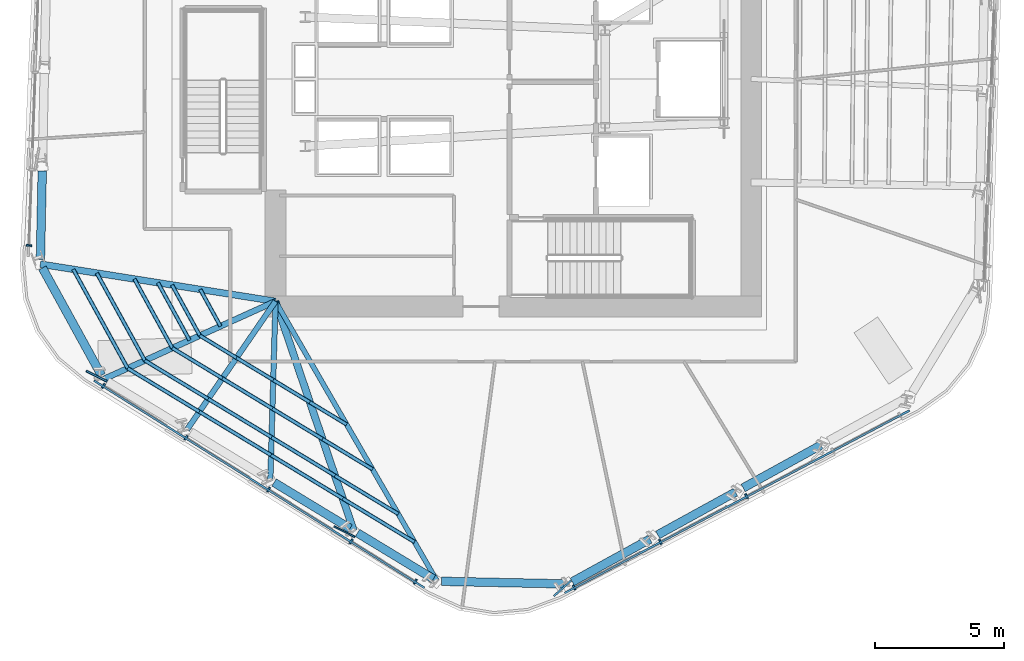
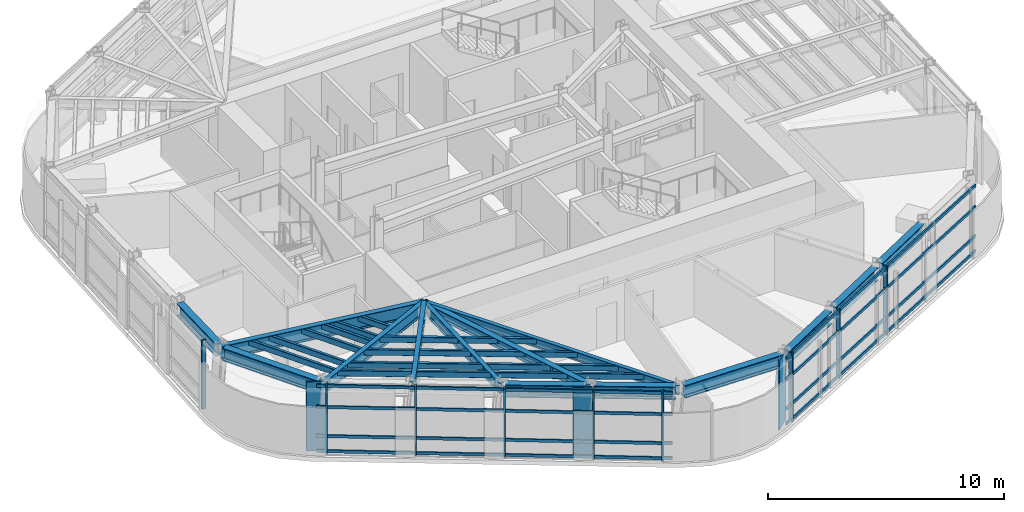
# One storey, part 2 of 14: 42 members, 14 beams, 3 elements without a shape of their own.
"""IFC4 building model written with IfcOpenShell, lengths in metres."""

import ifcopenshell
import ifcopenshell.guid

model = None  # the IFC model being written
_history = None  # IfcOwnerHistory: only IFC2X3 demands one
_inside = {}  # id of a spatial element -> (the spatial element, [elements in it])
_under = {}  # id of a project, library or spatial element -> (it, [spatial elements below it])
_declared = {}  # id of a project -> (the project, [libraries it declares])
_typed = {}  # id of a type object -> (the type object, [elements of that type])
_made_of = {}  # id of a material, layer set ... -> (it, [elements and type objects made of it])


def new_model(schema):
    """Start an empty IFC model of exactly this schema.

    Asked for "IFC4X3", IfcOpenShell would pick the latest addendum, in which some entities
    have other attributes; the version numbers below select the first issue.
    IFC2X3 requires an IfcOwnerHistory on every rooted entity: one is made here for all.
    """
    global model, _history
    if schema == "IFC4X3":
        model = ifcopenshell.file(schema_version=(4, 3, 0, 0))
    else:
        model = ifcopenshell.file(schema=schema)
    _inside.clear()
    _under.clear()
    _declared.clear()
    _typed.clear()
    _made_of.clear()
    _history = None
    if model.schema == "IFC2X3":
        org = make("IfcOrganization", Name="unknown")
        user = make(
            "IfcPersonAndOrganization",
            ThePerson=make("IfcPerson", FamilyName="unknown"),
            TheOrganization=org,
        )
        app = make(
            "IfcApplication",
            ApplicationDeveloper=org,
            Version="unknown",
            ApplicationFullName="unknown",
            ApplicationIdentifier="unknown",
        )
        _history = make(
            "IfcOwnerHistory",
            OwningUser=user,
            OwningApplication=app,
            ChangeAction="ADDED",
            CreationDate=0,
        )
    return model


def make(cls, **values):
    """One entity of the class cls with the attributes given. An attribute that is None is left unset."""
    return model.create_entity(
        cls, **{name: value for name, value in values.items() if value is not None}
    )


def rooted(cls, **values):
    """An entity with a GlobalId (a new one), such as an element, a storey or a relation."""
    return make(cls, GlobalId=ifcopenshell.guid.new(), OwnerHistory=_history, **values)


def si_unit(unit_type, name, prefix=None):
    """IfcSIUnit, for example si_unit("LENGTHUNIT", "METRE", prefix="MILLI")."""
    return make("IfcSIUnit", UnitType=unit_type, Prefix=prefix, Name=name)


def assignment(units):
    """IfcUnitAssignment: the units of a project."""
    return None if units is None else make("IfcUnitAssignment", Units=units)


def point(xyz):
    """IfcCartesianPoint."""
    return None if xyz is None else make("IfcCartesianPoint", Coordinates=xyz)


def direction(xyz):
    """IfcDirection."""
    return None if xyz is None else make("IfcDirection", DirectionRatios=xyz)


def frame(location, z_axis=None, x_axis=None):
    """IfcAxis2Placement3D, a coordinate frame: its origin and axes. An axis left out is left unset."""
    return make(
        "IfcAxis2Placement3D",
        Location=point(location),
        Axis=direction(z_axis),
        RefDirection=direction(x_axis),
    )


def frame_2d(location, x_axis=None):
    """IfcAxis2Placement2D, a coordinate frame in the plane: its origin and x axis."""
    return make(
        "IfcAxis2Placement2D", Location=point(location), RefDirection=direction(x_axis)
    )


def origin():
    """The frame at (0, 0, 0) with its axes left unset."""
    return frame((0.0, 0.0, 0.0))


def origin_2d():
    """The frame at (0, 0) in the plane with its x axis left unset."""
    return frame_2d((0.0, 0.0))


def place(relative_to, where):
    """IfcLocalPlacement: puts the frame where relative to a parent placement (None: the world)."""
    return make(
        "IfcLocalPlacement", PlacementRelTo=relative_to, RelativePlacement=where
    )


def context(
    kind, dimensions, precision=None, world=None, true_north=None, identifier=None
):
    """IfcGeometricRepresentationContext, for example the 3D "Model" context."""
    return make(
        "IfcGeometricRepresentationContext",
        ContextIdentifier=identifier,
        ContextType=kind,
        CoordinateSpaceDimension=dimensions,
        Precision=precision,
        WorldCoordinateSystem=world,
        TrueNorth=true_north,
    )


def subcontext(parent, identifier, kind, view, scale=None):
    """IfcGeometricRepresentationSubContext, for example "Body" below "Model"."""
    return make(
        "IfcGeometricRepresentationSubContext",
        ContextIdentifier=identifier,
        ContextType=kind,
        ParentContext=parent,
        TargetScale=scale,
        TargetView=view,
    )


def project(units=None, contexts=None):
    """IfcProject with its units and contexts."""
    return rooted(
        "IfcProject",
        Name="project",
        RepresentationContexts=contexts,
        UnitsInContext=assignment(units),
    )


def spatial(cls, under=None, at=None, **own):
    """A site, building, storey or space (cls), placed at a placement, below another one or the project."""
    s = rooted(cls, ObjectPlacement=at, **own)
    if under is not None:
        _under.setdefault(under.id(), (under, []))[1].append(s)
    return s


def profile(cls, at=None, kind="AREA", **sizes):
    """A parametric profile (cls). Its sizes go by their IFC names, for example OverallWidth=200.0."""
    return make(cls, ProfileType=kind, Position=at, **sizes)


def rectangle(**sizes):
    """IfcRectangleProfileDef."""
    return profile("IfcRectangleProfileDef", **sizes)


def hollow_rectangle(**sizes):
    """IfcRectangleHollowProfileDef."""
    return profile("IfcRectangleHollowProfileDef", **sizes)


def i_section(**sizes):
    """IfcIShapeProfileDef."""
    return profile("IfcIShapeProfileDef", **sizes)


def extrude(swept, where, along, depth):
    """IfcExtrudedAreaSolid: the profile swept, set in the frame where, extruded along a direction by depth."""
    return make(
        "IfcExtrudedAreaSolid",
        SweptArea=swept,
        Position=where,
        ExtrudedDirection=direction(along),
        Depth=depth,
    )


def shape(context_of_items, identifier, shape_type, items):
    """IfcShapeRepresentation: the items that make up one representation, for example the "Body"."""
    return make(
        "IfcShapeRepresentation",
        ContextOfItems=context_of_items,
        RepresentationIdentifier=identifier,
        RepresentationType=shape_type,
        Items=items,
    )


def material(Name=None, Category=None):
    """IfcMaterial."""
    return make("IfcMaterial", Name=Name, Category=Category)


def layer(
    of_material, thickness, ventilated=None, Name=None, Category=None, Priority=None
):
    """IfcMaterialLayer: one layer of a wall or slab, of a material (None: an air gap)."""
    return make(
        "IfcMaterialLayer",
        Material=of_material,
        LayerThickness=thickness,
        IsVentilated=ventilated,
        Name=Name,
        Category=Category,
        Priority=Priority,
    )


def layer_set(layers, Name=None):
    """IfcMaterialLayerSet."""
    return make("IfcMaterialLayerSet", MaterialLayers=layers, LayerSetName=Name)


def material_profile(
    of_material, cross_section, Name=None, Category=None, Priority=None
):
    """IfcMaterialProfile: a cross section and its material."""
    return make(
        "IfcMaterialProfile",
        Name=Name,
        Material=of_material,
        Profile=cross_section,
        Priority=Priority,
        Category=Category,
    )


def profile_set(profiles, Name=None, composite=None):
    """IfcMaterialProfileSet."""
    return make(
        "IfcMaterialProfileSet",
        Name=Name,
        MaterialProfiles=profiles,
        CompositeProfile=composite,
    )


def made_of(thing, what):
    """Note that an element or type object is made of a material, layer set ...; save() writes the relation."""
    if what is not None:
        _made_of.setdefault(what.id(), (what, []))[1].append(thing)
    return thing


def type_object(cls, material=None, **own):
    """A type object (cls), such as IfcWallType, which elements share."""
    return made_of(rooted(cls, **own), material)


def element(
    cls,
    number,
    at=None,
    inside=None,
    cuts=None,
    type_object=None,
    material=None,
    context=None,
    identifier="Body",
    shape_type=None,
    held_by="IfcProductDefinitionShape",
    body=None,
    shapes=None,
    **own,
):
    """One element of the class cls, such as IfcWall. Its Tag is "e" and its number.

    at: its placement. inside: the storey or other place that contains it. cuts: it is an
    opening in that element (IfcRelVoidsElement). A single representation is given by context,
    identifier, shape_type and body (its items); several are given by shapes. held_by: the class
    of the entity that holds the representations. save() writes the other relations.
    """
    e = rooted(cls, Tag="e%d" % number, ObjectPlacement=at, **own)
    if body is not None:
        shapes = [shape(context, identifier, shape_type, body)]
    if shapes is not None:
        e.Representation = make(held_by, Representations=shapes)
    if inside is not None:
        _inside.setdefault(inside.id(), (inside, []))[1].append(e)
    if cuts is not None:
        rooted(
            "IfcRelVoidsElement", RelatingBuildingElement=cuts, RelatedOpeningElement=e
        )
    if type_object is not None:
        _typed.setdefault(type_object.id(), (type_object, []))[1].append(e)
    return made_of(e, material)


def aggregate(whole, parts):
    """IfcRelAggregates: a whole, such as a stair, and the parts it consists of."""
    return rooted("IfcRelAggregates", RelatingObject=whole, RelatedObjects=parts)


def save(model, path):
    """Write the relations noted so far, then the file.

    IfcRelAggregates (storeys below a building ...), IfcRelContainedInSpatialStructure (elements
    in a storey), IfcRelDefinesByType, IfcRelAssociatesMaterial and IfcRelDeclares: one each for
    every whole, place, type object, material and project.
    """
    for whole, parts in _under.values():
        aggregate(whole, parts)
    for where, things in _inside.values():
        rooted(
            "IfcRelContainedInSpatialStructure",
            RelatedElements=things,
            RelatingStructure=where,
        )
    for kind, things in _typed.values():
        rooted("IfcRelDefinesByType", RelatedObjects=things, RelatingType=kind)
    for what, things in _made_of.values():
        rooted("IfcRelAssociatesMaterial", RelatedObjects=things, RelatingMaterial=what)
    for by, libraries in _declared.values():
        rooted("IfcRelDeclares", RelatingContext=by, RelatedDefinitions=libraries)
    model.write(path)


model = new_model("IFC4")

# Units and contexts
model_context = context("Model", 3, precision=1e-05, world=origin(), true_north=direction((0.0, 1.0)))
body_context = subcontext(model_context, "Body", "Model", "MODEL_VIEW")
ifc_project = project(units=[si_unit("LENGTHUNIT", "METRE"), si_unit("AREAUNIT", "SQUARE_METRE"), si_unit("VOLUMEUNIT", "CUBIC_METRE"), si_unit("PLANEANGLEUNIT", "RADIAN"), si_unit("MASSUNIT", "GRAM", prefix="KILO")], contexts=[model_context])

# Site, building, storey
site_placement = place(None, origin())
site = spatial("IfcSite", under=ifc_project, at=site_placement, CompositionType="ELEMENT")
building_placement = place(site_placement, origin())
building = spatial("IfcBuilding", under=site, at=building_placement, Name="Valkerne Bourse Tower", CompositionType="ELEMENT")
storey_placement = place(building_placement, frame((0.0, 0.0, 143.800048828125)))
storey = spatial("IfcBuildingStorey", under=building, at=storey_placement, Name="L36", CompositionType="ELEMENT", Elevation=143.800048828125)

# Beams
ifc_material_1 = material(Name="Steel ASTM A992", Category="steel")
ifc_material_profile_1 = material_profile(ifc_material_1, i_section(OverallWidth=0.1904296875, OverallDepth=0.457275390625, WebThickness=0.009033203125, FlangeThickness=0.014404296875, FilletRadius=0.01513671875, at=origin_2d()), Name="W18X50")
ifc_profile_set_1 = profile_set([ifc_material_profile_1], Name="Steel ASTM A992")
beam_type_1 = type_object("IfcBeamType", Name="BM-W18X50", PredefinedType="JOIST", material=ifc_profile_set_1)
beam_1_placement = place(storey_placement, frame((43.8525390625, 7.573974609375, 3.351318359375), z_axis=(-0.5001253241, 0.86595303579, 0.0), x_axis=(-0.86595303579, -0.5001253241, 0.0)))
element("IfcBeam", 1, at=beam_1_placement, inside=storey, type_object=beam_type_1, Name="L36 Radial Composite Floor Beam 19", PredefinedType="JOIST", context=body_context, shape_type="SweptSolid", body=[
    extrude(i_section(OverallWidth=0.1904296875, OverallDepth=0.457275390625, WebThickness=0.009033203125, FlangeThickness=0.014404296875, FilletRadius=0.01513671875, at=origin_2d()), origin(), (0.0, 0.0, 1.0), 12.501708984375),
])
ifc_material_profile_2 = material_profile(ifc_material_1, i_section(OverallWidth=0.279296875, OverallDepth=0.46240234375, WebThickness=0.0107421875, FlangeThickness=0.017333984375, FilletRadius=0.017822265625, at=origin_2d()), Name="W18X76")
ifc_profile_set_2 = profile_set([ifc_material_profile_2], Name="Steel ASTM A992")
beam_type_2 = type_object("IfcBeamType", Name="BM-W18X76", PredefinedType="BEAM", material=ifc_profile_set_2)
beam_2_placement = place(storey_placement, frame((40.626953125, 9.52734375, 3.3486328125), z_axis=(-0.322876476835, 0.946441113174, 0.0), x_axis=(-0.946441113174, -0.322876476835, 0.0)))
element("IfcBeam", 2, at=beam_2_placement, inside=storey, type_object=beam_type_2, Name="L36 Radial Composite Floor Beam 18", PredefinedType="BEAM", context=body_context, shape_type="SweptSolid", body=[
    extrude(i_section(OverallWidth=0.279296875, OverallDepth=0.46240234375, WebThickness=0.0107421875, FlangeThickness=0.017333984375, FilletRadius=0.017822265625, at=origin_2d()), origin(), (0.0, 0.0, 1.0), 9.374755859375),
])
ifc_material_profile_3 = material_profile(ifc_material_1, i_section(OverallWidth=0.209228515625, OverallDepth=0.533447265625, WebThickness=0.01025390625, FlangeThickness=0.015625, FilletRadius=0.017822265625, at=origin_2d()), Name="W21X62")
ifc_profile_set_3 = profile_set([ifc_material_profile_3], Name="Steel ASTM A992")
beam_type_3 = type_object("IfcBeamType", Name="BM-W21X62", PredefinedType="JOIST", material=ifc_profile_set_3)
beam_3_placement = place(storey_placement, frame((37.4013671875, 11.48095703125, 3.313232421875), z_axis=(0.028710812856, 0.999587759642, 0.0), x_axis=(-0.999587759642, 0.028710812856, 0.0)))
element("IfcBeam", 3, at=beam_3_placement, inside=storey, type_object=beam_type_3, Name="L36 Radial Composite Floor Beam 17", PredefinedType="JOIST", context=body_context, shape_type="SweptSolid", body=[
    extrude(i_section(OverallWidth=0.209228515625, OverallDepth=0.533447265625, WebThickness=0.01025390625, FlangeThickness=0.015625, FilletRadius=0.017822265625, at=origin_2d()), origin(), (0.0, 0.0, 1.0), 6.921875),
])
ifc_material_profile_4 = material_profile(ifc_material_1, i_section(OverallWidth=0.2138671875, OverallDepth=0.548583984375, WebThickness=0.0146484375, FlangeThickness=0.023681640625, FilletRadius=0.017822265625, at=origin_2d()), Name="W21X93")
ifc_profile_set_4 = profile_set([ifc_material_profile_4], Name="Steel ASTM A992")
beam_type_4 = type_object("IfcBeamType", Name="BM-W21X93", PredefinedType="BEAM", material=ifc_profile_set_4)
beam_4_placement = place(storey_placement, frame((34.17578125, 13.434326171875, 3.3056640625), z_axis=(0.56770836371, 0.823229745438, 0.0), x_axis=(-0.823229745438, 0.56770836371, 0.0)))
element("IfcBeam", 4, at=beam_4_placement, inside=storey, type_object=beam_type_4, Name="L36 Radial Composite Floor Beam 16", PredefinedType="BEAM", context=body_context, shape_type="SweptSolid", body=[
    extrude(i_section(OverallWidth=0.2138671875, OverallDepth=0.548583984375, WebThickness=0.0146484375, FlangeThickness=0.023681640625, FilletRadius=0.017822265625, at=origin_2d()), origin(), (0.0, 0.0, 1.0), 6.03173828125),
])
ifc_material_profile_5 = material_profile(ifc_material_1, i_section(OverallWidth=0.330078125, OverallDepth=0.647705078125, WebThickness=0.0205078125, FlangeThickness=0.037109375, FilletRadius=0.020263671875, at=origin_2d()), Name="W24X192")
ifc_profile_set_5 = profile_set([ifc_material_profile_5], Name="Steel ASTM A992")
beam_type_5 = type_object("IfcBeamType", Name="BM-W24X192", PredefinedType="SPANDREL", material=ifc_profile_set_5)
beam_5_placement = place(storey_placement, frame((28.578125, 23.439697265625, 3.256103515625), z_axis=(-0.020920687168, -0.999781138474, 0.0), x_axis=(0.999781138474, -0.020920687168, 0.0)))
element("IfcBeam", 5, at=beam_5_placement, inside=storey, type_object=beam_type_5, Name="L36 Hexagonal Spandrel Ring Beam 13", PredefinedType="SPANDREL", context=body_context, shape_type="SweptSolid", body=[
    extrude(i_section(OverallWidth=0.330078125, OverallDepth=0.647705078125, WebThickness=0.0205078125, FlangeThickness=0.037109375, FilletRadius=0.020263671875, at=origin_2d()), origin(), (0.0, 0.0, 1.0), 3.430908203125),
])
beam_6_placement = place(storey_placement, frame((28.584716796875, 19.690673828125, 3.256103515625), z_axis=(0.481772434885, -0.876296365954, 0.0), x_axis=(0.876296365954, 0.481772434885, 0.0)))
element("IfcBeam", 6, at=beam_6_placement, inside=storey, type_object=beam_type_5, Name="L36 Hexagonal Spandrel Ring Beam 14", PredefinedType="SPANDREL", context=body_context, shape_type="SweptSolid", body=[
    extrude(i_section(OverallWidth=0.330078125, OverallDepth=0.647705078125, WebThickness=0.0205078125, FlangeThickness=0.037109375, FilletRadius=0.020263671875, at=origin_2d()), origin(), (0.0, 0.0, 1.0), 4.740234375),
])
beam_7_placement = place(storey_placement, frame((37.546630859375, 11.392822265625, 3.256103515625), z_axis=(0.855369821154, -0.51801782697, 0.0), x_axis=(0.51801782697, 0.855369821154, 0.0)))
element("IfcBeam", 7, at=beam_7_placement, inside=storey, type_object=beam_type_5, Name="L36 Hexagonal Spandrel Ring Beam 17", PredefinedType="SPANDREL", context=body_context, shape_type="SweptSolid", body=[
    extrude(i_section(OverallWidth=0.330078125, OverallDepth=0.647705078125, WebThickness=0.0205078125, FlangeThickness=0.037109375, FilletRadius=0.020263671875, at=origin_2d()), origin(), (0.0, 0.0, 1.0), 3.43115234375),
])
beam_8_placement = place(storey_placement, frame((40.772216796875, 9.439208984375, 3.256103515625), z_axis=(0.85540134986, -0.517965762052, 0.0), x_axis=(0.517965762052, 0.85540134986, 0.0)))
element("IfcBeam", 8, at=beam_8_placement, inside=storey, type_object=beam_type_5, Name="L36 Hexagonal Spandrel Ring Beam 18", PredefinedType="SPANDREL", context=body_context, shape_type="SweptSolid", body=[
    extrude(i_section(OverallWidth=0.330078125, OverallDepth=0.647705078125, WebThickness=0.0205078125, FlangeThickness=0.037109375, FilletRadius=0.020263671875, at=origin_2d()), origin(), (0.0, 0.0, 1.0), 3.430908203125),
])
beam_9_placement = place(storey_placement, frame((44.0224609375, 7.5703125, 3.256103515625), z_axis=(0.999781332729, -0.020911401839, 0.0), x_axis=(0.020911401839, 0.999781332729, 0.0)))
element("IfcBeam", 9, at=beam_9_placement, inside=storey, type_object=beam_type_5, Name="L36 Hexagonal Spandrel Ring Beam 19", PredefinedType="SPANDREL", context=body_context, shape_type="SweptSolid", body=[
    extrude(i_section(OverallWidth=0.330078125, OverallDepth=0.647705078125, WebThickness=0.0205078125, FlangeThickness=0.037109375, FilletRadius=0.020263671875, at=origin_2d()), origin(), (0.0, 0.0, 1.0), 4.739990234375),
])
beam_10_placement = place(storey_placement, frame((49.08056640625, 7.549560546875, 3.256103515625), z_axis=(0.87629702989, 0.48177122725, 0.0), x_axis=(-0.48177122725, 0.87629702989, 0.0)))
element("IfcBeam", 10, at=beam_10_placement, inside=storey, type_object=beam_type_5, Name="L36 Hexagonal Spandrel Ring Beam 20", PredefinedType="SPANDREL", context=body_context, shape_type="SweptSolid", body=[
    extrude(i_section(OverallWidth=0.330078125, OverallDepth=0.647705078125, WebThickness=0.0205078125, FlangeThickness=0.037109375, FilletRadius=0.020263671875, at=origin_2d()), origin(), (0.0, 0.0, 1.0), 3.4306640625),
])
beam_11_placement = place(storey_placement, frame((52.385009765625, 9.3662109375, 3.256103515625), z_axis=(0.876313545449, 0.481741185765, 0.0), x_axis=(-0.481741185765, 0.876313545449, 0.0)))
element("IfcBeam", 11, at=beam_11_placement, inside=storey, type_object=beam_type_5, Name="L36 Hexagonal Spandrel Ring Beam 21", PredefinedType="SPANDREL", context=body_context, shape_type="SweptSolid", body=[
    extrude(i_section(OverallWidth=0.330078125, OverallDepth=0.647705078125, WebThickness=0.0205078125, FlangeThickness=0.037109375, FilletRadius=0.020263671875, at=origin_2d()), origin(), (0.0, 0.0, 1.0), 3.430908203125),
])
beam_12_placement = place(storey_placement, frame((55.689697265625, 11.182861328125, 3.256103515625), z_axis=(0.87629702989, 0.48177122725, 0.0), x_axis=(-0.48177122725, 0.87629702989, 0.0)))
element("IfcBeam", 12, at=beam_12_placement, inside=storey, type_object=beam_type_5, Name="L36 Hexagonal Spandrel Ring Beam 22", PredefinedType="SPANDREL", context=body_context, shape_type="SweptSolid", body=[
    extrude(i_section(OverallWidth=0.330078125, OverallDepth=0.647705078125, WebThickness=0.0205078125, FlangeThickness=0.037109375, FilletRadius=0.020263671875, at=origin_2d()), origin(), (0.0, 0.0, 1.0), 3.4306640625),
])
ifc_material_profile_6 = material_profile(ifc_material_1, i_section(OverallWidth=0.228271484375, OverallDepth=0.607177734375, WebThickness=0.01123046875, FlangeThickness=0.017333984375, FilletRadius=0.017822265625, at=origin_2d()), Name="W24X76")
ifc_profile_set_6 = profile_set([ifc_material_profile_6], Name="Steel ASTM A992")
beam_type_6 = type_object("IfcBeamType", Name="BM-W24X76", PredefinedType="JOIST", material=ifc_profile_set_6)
beam_13_placement = place(storey_placement, frame((30.9501953125, 15.387939453125, 3.2763671875), z_axis=(0.910918846908, 0.412585572153, 0.0), x_axis=(-0.412585572153, 0.910918846908, 0.0)))
element("IfcBeam", 13, at=beam_13_placement, inside=storey, type_object=beam_type_6, Name="L36 Radial Composite Floor Beam 15", PredefinedType="JOIST", context=body_context, shape_type="SweptSolid", body=[
    extrude(i_section(OverallWidth=0.228271484375, OverallDepth=0.607177734375, WebThickness=0.01123046875, FlangeThickness=0.017333984375, FilletRadius=0.017822265625, at=origin_2d()), origin(), (0.0, 0.0, 1.0), 7.30029296875),
])
ifc_material_profile_7 = material_profile(ifc_material_1, i_section(OverallWidth=0.255859375, OverallDepth=0.693359375, WebThickness=0.014404296875, FlangeThickness=0.023681640625, FilletRadius=0.02294921875, at=origin_2d()), Name="W27X114")
ifc_profile_set_7 = profile_set([ifc_material_profile_7], Name="Steel ASTM A992")
beam_type_7 = type_object("IfcBeamType", Name="BM-W27X114", PredefinedType="BEAM", material=ifc_profile_set_7)
beam_14_placement = place(storey_placement, frame((28.502685546875, 19.839599609375, 3.233154296875), z_axis=(0.98770831595, -0.156308293459, 0.0), x_axis=(0.156308293459, 0.98770831595, 0.0)))
element("IfcBeam", 14, at=beam_14_placement, inside=storey, type_object=beam_type_7, Name="L36 Radial Composite Floor Beam 14", PredefinedType="BEAM", context=body_context, shape_type="SweptSolid", body=[
    extrude(i_section(OverallWidth=0.255859375, OverallDepth=0.693359375, WebThickness=0.014404296875, FlangeThickness=0.023681640625, FilletRadius=0.02294921875, at=origin_2d()), origin(), (0.0, 0.0, 1.0), 9.210693359375),
])

# Curtain wall, member
ifc_material_2 = material(Name="Aluminium AA 6063-T6", Category="aluminium")
ifc_layer = layer(ifc_material_2, 0.235107421875)
ifc_layer_set = layer_set([ifc_layer], Name="Aluminium AA 6063-T6")
curtain_wall_type = type_object("IfcCurtainWallType", Name="CW-03", PredefinedType="NOTDEFINED", material=ifc_layer_set)
curtain_wall_1_placement = place(storey_placement, origin())
curtain_wall_1 = element("IfcCurtainWall", 15, at=curtain_wall_1_placement, inside=storey, type_object=curtain_wall_type, Name="L36 Hexagonal Stick Curtain Wall Face 3", PredefinedType="NOTDEFINED")
ifc_material_profile_8 = material_profile(ifc_material_2, rectangle(XDim=0.074951171875, YDim=0.199951171875, at=origin_2d()), Name="CWM-75X200")
ifc_profile_set_8 = profile_set([ifc_material_profile_8], Name="Aluminium AA 6063-T6")
member_type_1 = type_object("IfcMemberType", Name="CW-MUL-220X75", PredefinedType="MULLION", material=ifc_profile_set_8)
member_1_placement = place(storey_placement, frame((28.068115234375, 20.56005859375, 0.0), z_axis=(0.0, 0.0, 1.0), x_axis=(-0.036647781173, -0.99932824444, 0.0)))
member_1 = element("IfcMember", 16, at=member_1_placement, type_object=member_type_1, Name="CW-L36-F3 Jamb Mullion 03B", PredefinedType="MULLION", context=body_context, shape_type="SweptSolid", body=[
    extrude(rectangle(XDim=0.074951171875, YDim=0.199951171875, at=origin_2d()), origin(), (0.0, 0.0, 1.0), 3.579833984375),
])
aggregate(curtain_wall_1, [member_1])

# Curtain wall, members
curtain_wall_2_placement = place(storey_placement, origin())
curtain_wall_2 = element("IfcCurtainWall", 17, at=curtain_wall_2_placement, inside=storey, type_object=curtain_wall_type, Name="L36 Hexagonal Stick Curtain Wall Face 4", PredefinedType="NOTDEFINED")
member_2_placement = place(storey_placement, frame((30.94482421875, 15.127197265625, 0.0), z_axis=(0.0, 0.0, 1.0), x_axis=(0.847122646261, -0.531397423961, 0.0)))
member_2 = element("IfcMember", 18, at=member_2_placement, type_object=member_type_1, Name="CW-L36-F4 Jamb Mullion 00A", PredefinedType="MULLION", context=body_context, shape_type="SweptSolid", body=[
    extrude(rectangle(XDim=0.074951171875, YDim=0.199951171875, at=origin_2d()), origin(), (0.0, 0.0, 1.0), 3.579833984375),
])
member_3_placement = place(storey_placement, frame((34.139404296875, 13.123291015625, 0.0), z_axis=(0.0, 0.0, 1.0), x_axis=(0.847122646261, -0.531397423961, 0.0)))
member_3 = element("IfcMember", 19, at=member_3_placement, type_object=member_type_1, Name="CW-L36-F4 Jamb Mullion 01A", PredefinedType="MULLION", context=body_context, shape_type="SweptSolid", body=[
    extrude(rectangle(XDim=0.074951171875, YDim=0.199951171875, at=origin_2d()), origin(), (0.0, 0.0, 1.0), 3.579833984375),
])
member_4_placement = place(storey_placement, frame((37.333740234375, 11.119384765625, 0.0), z_axis=(0.0, 0.0, 1.0), x_axis=(0.847122646261, -0.531397423961, 0.0)))
member_4 = element("IfcMember", 20, at=member_4_placement, type_object=member_type_1, Name="CW-L36-F4 Jamb Mullion 02A", PredefinedType="MULLION", context=body_context, shape_type="SweptSolid", body=[
    extrude(rectangle(XDim=0.074951171875, YDim=0.199951171875, at=origin_2d()), origin(), (0.0, 0.0, 1.0), 3.579833984375),
])
member_5_placement = place(storey_placement, frame((40.5283203125, 9.115478515625, 0.0), z_axis=(0.0, 0.0, 1.0), x_axis=(0.847122646261, -0.531397423961, 0.0)))
member_5 = element("IfcMember", 21, at=member_5_placement, type_object=member_type_1, Name="CW-L36-F4 Jamb Mullion 03A", PredefinedType="MULLION", context=body_context, shape_type="SweptSolid", body=[
    extrude(rectangle(XDim=0.074951171875, YDim=0.199951171875, at=origin_2d()), origin(), (0.0, 0.0, 1.0), 3.579833984375),
])
member_6_placement = place(storey_placement, frame((43.01123046875, 7.557861328125, 0.0), z_axis=(0.0, 0.0, 1.0), x_axis=(0.847122646261, -0.531397423961, 0.0)))
member_6 = element("IfcMember", 22, at=member_6_placement, type_object=member_type_1, Name="CW-L36-F4 Jamb Mullion 03B", PredefinedType="MULLION", context=body_context, shape_type="SweptSolid", body=[
    extrude(rectangle(XDim=0.074951171875, YDim=0.199951171875, at=origin_2d()), origin(), (0.0, 0.0, 1.0), 3.579833984375),
])

curtain_wall_3_placement = place(storey_placement, origin())
curtain_wall_3 = element("IfcCurtainWall", 23, at=curtain_wall_3_placement, inside=storey, type_object=curtain_wall_type, Name="L36 Hexagonal Stick Curtain Wall Face 5", PredefinedType="NOTDEFINED")
member_7_placement = place(storey_placement, frame((49.15478515625, 7.33251953125, 0.0), z_axis=(0.0, 0.0, 1.0), x_axis=(0.883762758878, 0.467935236993, 0.0)))
member_7 = element("IfcMember", 24, at=member_7_placement, type_object=member_type_1, Name="CW-L36-F5 Jamb Mullion 00A", PredefinedType="MULLION", context=body_context, shape_type="SweptSolid", body=[
    extrude(rectangle(XDim=0.074951171875, YDim=0.199951171875, at=origin_2d()), origin(), (0.0, 0.0, 1.0), 3.579833984375),
])
member_8_placement = place(storey_placement, frame((52.4873046875, 9.09716796875, 0.0), z_axis=(0.0, 0.0, 1.0), x_axis=(0.883773725093, 0.467914525137, 0.0)))
member_8 = element("IfcMember", 25, at=member_8_placement, type_object=member_type_1, Name="CW-L36-F5 Jamb Mullion 01A", PredefinedType="MULLION", context=body_context, shape_type="SweptSolid", body=[
    extrude(rectangle(XDim=0.074951171875, YDim=0.199951171875, at=origin_2d()), origin(), (0.0, 0.0, 1.0), 3.579833984375),
])
member_9_placement = place(storey_placement, frame((55.820068359375, 10.86181640625, 0.0), z_axis=(0.0, 0.0, 1.0), x_axis=(0.883756952221, 0.467946203533, 0.0)))
member_9 = element("IfcMember", 26, at=member_9_placement, type_object=member_type_1, Name="CW-L36-F5 Jamb Mullion 02A", PredefinedType="MULLION", context=body_context, shape_type="SweptSolid", body=[
    extrude(rectangle(XDim=0.074951171875, YDim=0.199951171875, at=origin_2d()), origin(), (0.0, 0.0, 1.0), 3.579833984375),
])

# Member
ifc_material_profile_9 = material_profile(ifc_material_2, rectangle(XDim=0.074951171875, YDim=0.14990234375, at=origin_2d()), Name="CWT-75X150")
ifc_profile_set_9 = profile_set([ifc_material_profile_9], Name="Aluminium AA 6063-T6")
member_type_2 = type_object("IfcMemberType", Name="CW-TRN-180X65", PredefinedType="USERDEFINED", material=ifc_profile_set_9)
member_10_placement = place(storey_placement, frame((30.578369140625, 15.333251953125, 0.119873046875), z_axis=(0.847123326162, -0.531396340101, 0.0), x_axis=(0.531396340101, 0.847123326162, 0.0)))
member_10 = element("IfcMember", 27, at=member_10_placement, type_object=member_type_2, Name="CW-L36-F4 Continuous Face Transom 1", ObjectType="TRANSOM", PredefinedType="USERDEFINED", context=body_context, shape_type="SweptSolid", body=[
    extrude(rectangle(XDim=0.074951171875, YDim=0.14990234375, at=origin_2d()), origin(), (0.0, 0.0, 1.0), 15.083984375),
])

member_11_placement = place(storey_placement, frame((30.578369140625, 15.333251953125, 0.89990234375), z_axis=(0.847123326162, -0.531396340101, 0.0), x_axis=(0.531396340101, 0.847123326162, 0.0)))
member_11 = element("IfcMember", 28, at=member_11_placement, type_object=member_type_2, Name="CW-L36-F4 Continuous Face Transom 2", ObjectType="TRANSOM", PredefinedType="USERDEFINED", context=body_context, shape_type="SweptSolid", body=[
    extrude(rectangle(XDim=0.074951171875, YDim=0.14990234375, at=origin_2d()), origin(), (0.0, 0.0, 1.0), 15.083984375),
])

member_12_placement = place(storey_placement, frame((30.578369140625, 15.333251953125, 2.39990234375), z_axis=(0.847123326162, -0.531396340101, 0.0), x_axis=(0.531396340101, 0.847123326162, 0.0)))
member_12 = element("IfcMember", 29, at=member_12_placement, type_object=member_type_2, Name="CW-L36-F4 Continuous Face Transom 3", ObjectType="TRANSOM", PredefinedType="USERDEFINED", context=body_context, shape_type="SweptSolid", body=[
    extrude(rectangle(XDim=0.074951171875, YDim=0.14990234375, at=origin_2d()), origin(), (0.0, 0.0, 1.0), 15.083984375),
])

member_13_placement = place(storey_placement, frame((30.578369140625, 15.333251953125, 3.5), z_axis=(0.847123326162, -0.531396340101, 0.0), x_axis=(0.531396340101, 0.847123326162, 0.0)))
member_13 = element("IfcMember", 30, at=member_13_placement, type_object=member_type_2, Name="CW-L36-F4 Continuous Face Transom 4", ObjectType="TRANSOM", PredefinedType="USERDEFINED", context=body_context, shape_type="SweptSolid", body=[
    extrude(rectangle(XDim=0.074951171875, YDim=0.14990234375, at=origin_2d()), origin(), (0.0, 0.0, 1.0), 15.083984375),
])

aggregate(curtain_wall_2, [member_10, member_11, member_12, member_13, member_2, member_3, member_4, member_5, member_6])

member_14_placement = place(storey_placement, frame((48.79296875, 7.118408203125, 0.119873046875), z_axis=(0.883767442874, 0.467926390489, 0.0), x_axis=(-0.467926390489, 0.883767442874, 0.0)))
member_14 = element("IfcMember", 31, at=member_14_placement, type_object=member_type_2, Name="CW-L36-F5 Continuous Face Transom 1", ObjectType="TRANSOM", PredefinedType="USERDEFINED", context=body_context, shape_type="SweptSolid", body=[
    extrude(rectangle(XDim=0.074951171875, YDim=0.14990234375, at=origin_2d()), origin(), (0.0, 0.0, 1.0), 15.083740234375),
])

member_15_placement = place(storey_placement, frame((48.79296875, 7.118408203125, 0.89990234375), z_axis=(0.883767442874, 0.467926390489, 0.0), x_axis=(-0.467926390489, 0.883767442874, 0.0)))
member_15 = element("IfcMember", 32, at=member_15_placement, type_object=member_type_2, Name="CW-L36-F5 Continuous Face Transom 2", ObjectType="TRANSOM", PredefinedType="USERDEFINED", context=body_context, shape_type="SweptSolid", body=[
    extrude(rectangle(XDim=0.074951171875, YDim=0.14990234375, at=origin_2d()), origin(), (0.0, 0.0, 1.0), 15.083740234375),
])

member_16_placement = place(storey_placement, frame((48.79296875, 7.118408203125, 2.39990234375), z_axis=(0.883767442874, 0.467926390489, 0.0), x_axis=(-0.467926390489, 0.883767442874, 0.0)))
member_16 = element("IfcMember", 33, at=member_16_placement, type_object=member_type_2, Name="CW-L36-F5 Continuous Face Transom 3", ObjectType="TRANSOM", PredefinedType="USERDEFINED", context=body_context, shape_type="SweptSolid", body=[
    extrude(rectangle(XDim=0.074951171875, YDim=0.14990234375, at=origin_2d()), origin(), (0.0, 0.0, 1.0), 15.083740234375),
])

member_17_placement = place(storey_placement, frame((48.79296875, 7.118408203125, 3.5), z_axis=(0.883767442874, 0.467926390489, 0.0), x_axis=(-0.467926390489, 0.883767442874, 0.0)))
member_17 = element("IfcMember", 34, at=member_17_placement, type_object=member_type_2, Name="CW-L36-F5 Continuous Face Transom 4", ObjectType="TRANSOM", PredefinedType="USERDEFINED", context=body_context, shape_type="SweptSolid", body=[
    extrude(rectangle(XDim=0.074951171875, YDim=0.14990234375, at=origin_2d()), origin(), (0.0, 0.0, 1.0), 15.083740234375),
])

aggregate(curtain_wall_3, [member_14, member_15, member_16, member_17, member_7, member_8, member_9])

# Members
ifc_material_3 = material(Name="Bronze Anodised Aluminium AA 6063-T6", Category="aluminium")
ifc_material_profile_10 = material_profile(ifc_material_3, rectangle(XDim=0.070068359375, YDim=0.89990234375, at=origin_2d()), Name="FIN-70X900")
ifc_profile_set_10 = profile_set([ifc_material_profile_10], Name="Bronze Anodised Aluminium AA 6063-T6")
member_type_3 = type_object("IfcMemberType", Name="FIN-SOLAR-900", PredefinedType="USERDEFINED", material=ifc_profile_set_10)
for number, where, z_axis, x_axis, name in (
    (35, (30.684814453125, 15.502685546875, 0.00390625), (0.0, 0.0, 1.0), (-0.452093420501, -0.891970593203, 0.0), "L36 Bronze Anodised Solar Fin F4-00"),
    (36, (40.268310546875, 9.4912109375, 0.00390625), (0.0, 0.0, 1.0), (-0.452093420501, -0.891970593203, 0.0), "L36 Bronze Anodised Solar Fin F4-03"),
    (37, (48.69921875, 7.295166015625, 0.00390625), (0.0, 0.0, 1.0), (0.666020914066, -0.745933068061, 0.0), "L36 Bronze Anodised Solar Fin F5-00"),
):
    element("IfcMember", number, at=place(storey_placement, frame(where, z_axis=z_axis, x_axis=x_axis)), inside=storey, type_object=member_type_3, Name=name, ObjectType="SOLAR_FIN", PredefinedType="USERDEFINED", context=body_context, shape_type="SweptSolid", body=[
        extrude(rectangle(XDim=0.070068359375, YDim=0.89990234375, at=origin_2d()), origin(), (0.0, 0.0, 1.0), 3.572021484375),
    ])
ifc_material_4 = material(Name="Steel ASTM A500 Grade C", Category="steel")
ifc_material_profile_11 = material_profile(ifc_material_4, hollow_rectangle(XDim=0.14990234375, YDim=0.300048828125, WallThickness=0.012451171875, OuterFilletRadius=0.02490234375, at=origin_2d()), Name="HSS300X150X12.5")
ifc_profile_set_11 = profile_set([ifc_material_profile_11], Name="Steel ASTM A500 Grade C")
member_type_4 = type_object("IfcMemberType", Name="MBR-HSS300X150X12.5", PredefinedType="PURLIN", material=ifc_profile_set_11)
member_18_placement = place(storey_placement, frame((34.68896484375, 18.860595703125, 3.419921875), z_axis=(0.481774617418, -0.876295166033, 0.0), x_axis=(0.876295166033, 0.481774617418, 0.0)))
element("IfcMember", 38, at=member_18_placement, inside=storey, type_object=member_type_4, Name="L36 Secondary Composite Floor Purlin I-14", PredefinedType="PURLIN", context=body_context, shape_type="SweptSolid", body=[
    extrude(hollow_rectangle(XDim=0.14990234375, YDim=0.300048828125, WallThickness=0.012451171875, OuterFilletRadius=0.02490234375, at=origin_2d()), origin(), (0.0, 0.0, 1.0), 1.625732421875),
])
member_19_placement = place(storey_placement, frame((33.59716796875, 19.033447265625, 3.419921875), z_axis=(0.481780381307, -0.876291997104, 0.0), x_axis=(0.876291997104, 0.481780381307, 0.0)))
element("IfcMember", 39, at=member_19_placement, inside=storey, type_object=member_type_4, Name="L36 Secondary Composite Floor Purlin K-14", PredefinedType="PURLIN", context=body_context, shape_type="SweptSolid", body=[
    extrude(hollow_rectangle(XDim=0.14990234375, YDim=0.300048828125, WallThickness=0.012451171875, OuterFilletRadius=0.02490234375, at=origin_2d()), origin(), (0.0, 0.0, 1.0), 2.2353515625),
])
member_20_placement = place(storey_placement, frame((34.674072265625, 17.07470703125, 3.419921875), z_axis=(0.855330220598, -0.518083211204, 0.0), x_axis=(0.518083211204, 0.855330220598, 0.0)))
element("IfcMember", 40, at=member_20_placement, inside=storey, type_object=member_type_4, Name="L36 Secondary Composite Floor Purlin K-15", PredefinedType="PURLIN", context=body_context, shape_type="SweptSolid", body=[
    extrude(hollow_rectangle(XDim=0.14990234375, YDim=0.300048828125, WallThickness=0.012451171875, OuterFilletRadius=0.02490234375, at=origin_2d()), origin(), (0.0, 0.0, 1.0), 1.6591796875),
])
member_21_placement = place(storey_placement, frame((36.09326171875, 16.215087890625, 3.419921875), z_axis=(0.855434894954, -0.517910359518, 0.0), x_axis=(0.517910359518, 0.855434894954, 0.0)))
element("IfcMember", 41, at=member_21_placement, inside=storey, type_object=member_type_4, Name="L36 Secondary Composite Floor Purlin K-16", PredefinedType="PURLIN", context=body_context, shape_type="SweptSolid", body=[
    extrude(hollow_rectangle(XDim=0.14990234375, YDim=0.300048828125, WallThickness=0.012451171875, OuterFilletRadius=0.02490234375, at=origin_2d()), origin(), (0.0, 0.0, 1.0), 1.659423828125),
])
for number, where, z_axis, x_axis, name in (
    (42, (37.5126953125, 15.355712890625, 3.419921875), (0.855330220598, -0.518083211204, 0.0), (0.518083211204, 0.855330220598, 0.0), "L36 Secondary Composite Floor Purlin K-17"),
    (43, (38.931884765625, 14.49609375, 3.419921875), (0.855395421681, -0.517975552093, 0.0), (0.517975552093, 0.855395421681, 0.0), "L36 Secondary Composite Floor Purlin K-18"),
):
    element("IfcMember", number, at=place(storey_placement, frame(where, z_axis=z_axis, x_axis=x_axis)), inside=storey, type_object=member_type_4, Name=name, PredefinedType="PURLIN", context=body_context, shape_type="SweptSolid", body=[
        extrude(hollow_rectangle(XDim=0.14990234375, YDim=0.300048828125, WallThickness=0.012451171875, OuterFilletRadius=0.02490234375, at=origin_2d()), origin(), (0.0, 0.0, 1.0), 1.6591796875),
    ])
member_22_placement = place(storey_placement, frame((33.051513671875, 19.119873046875, 3.419921875), z_axis=(0.481745321375, -0.876311271942, 0.0), x_axis=(0.876311271942, 0.481745321375, 0.0)))
element("IfcMember", 44, at=member_22_placement, inside=storey, type_object=member_type_4, Name="L36 Secondary Composite Floor Purlin M-14", PredefinedType="PURLIN", context=body_context, shape_type="SweptSolid", body=[
    extrude(hollow_rectangle(XDim=0.14990234375, YDim=0.300048828125, WallThickness=0.012451171875, OuterFilletRadius=0.02490234375, at=origin_2d()), origin(), (0.0, 0.0, 1.0), 2.5400390625),
])
member_23_placement = place(storey_placement, frame((30.68603515625, 19.494140625, 3.419921875), z_axis=(0.481777954392, -0.876293331403, 0.0), x_axis=(0.876293331403, 0.481777954392, 0.0)))
element("IfcMember", 45, at=member_23_placement, inside=storey, type_object=member_type_4, Name="L36 Secondary Composite Floor Purlin O-14", PredefinedType="PURLIN", context=body_context, shape_type="SweptSolid", body=[
    extrude(hollow_rectangle(XDim=0.14990234375, YDim=0.300048828125, WallThickness=0.012451171875, OuterFilletRadius=0.02490234375, at=origin_2d()), origin(), (0.0, 0.0, 1.0), 3.86083984375),
])
for number, where, z_axis, x_axis, name in (
    (46, (32.546142578125, 16.11083984375, 3.419921875), (0.855365987161, -0.518024157746, 0.0), (0.518024157746, 0.855365987161, 0.0), "L36 Secondary Composite Floor Purlin O-15"),
    (47, (34.99755859375, 14.626220703125, 3.419921875), (0.855365987161, -0.518024157746, 0.0), (0.518024157746, 0.855365987161, 0.0), "L36 Secondary Composite Floor Purlin O-16"),
    (48, (37.448974609375, 13.1416015625, 3.419921875), (0.855328240029, -0.518086481013, 0.0), (0.518086481013, 0.855328240029, 0.0), "L36 Secondary Composite Floor Purlin O-17"),
    (49, (39.900390625, 11.65673828125, 3.419921875), (0.855365987161, -0.518024157746, 0.0), (0.518024157746, 0.855365987161, 0.0), "L36 Secondary Composite Floor Purlin O-18"),
):
    element("IfcMember", number, at=place(storey_placement, frame(where, z_axis=z_axis, x_axis=x_axis)), inside=storey, type_object=member_type_4, Name=name, PredefinedType="PURLIN", context=body_context, shape_type="SweptSolid", body=[
        extrude(hollow_rectangle(XDim=0.14990234375, YDim=0.300048828125, WallThickness=0.012451171875, OuterFilletRadius=0.02490234375, at=origin_2d()), origin(), (0.0, 0.0, 1.0), 2.865966796875),
    ])
member_24_placement = place(storey_placement, frame((32.1416015625, 19.263916015625, 3.419921875), z_axis=(0.481761937274, -0.876302137276, 0.0), x_axis=(0.876302137276, 0.481761937274, 0.0)))
element("IfcMember", 50, at=member_24_placement, inside=storey, type_object=member_type_4, Name="L36 Secondary Composite Floor Purlin Z-14", PredefinedType="PURLIN", context=body_context, shape_type="SweptSolid", body=[
    extrude(hollow_rectangle(XDim=0.14990234375, YDim=0.300048828125, WallThickness=0.012451171875, OuterFilletRadius=0.02490234375, at=origin_2d()), origin(), (0.0, 0.0, 1.0), 3.048095703125),
])
for number, where, z_axis, x_axis, name in (
    (51, (33.610107421875, 16.5927734375, 3.419921875), (0.855352873182, -0.518045811044, 0.0), (0.518045811044, 0.855352873182, 0.0), "L36 Secondary Composite Floor Purlin Z-15"),
    (52, (35.54541015625, 15.420654296875, 3.419921875), (0.855352873182, -0.518045811044, 0.0), (0.518045811044, 0.855352873182, 0.0), "L36 Secondary Composite Floor Purlin Z-16"),
    (53, (37.480712890625, 14.24853515625, 3.419921875), (0.855352873182, -0.518045811044, 0.0), (0.518045811044, 0.855352873182, 0.0), "L36 Secondary Composite Floor Purlin Z-17"),
    (54, (39.416015625, 13.076416015625, 3.419921875), (0.855381827455, -0.517998001212, 0.0), (0.517998001212, 0.855381827455, 0.0), "L36 Secondary Composite Floor Purlin Z-18"),
):
    element("IfcMember", number, at=place(storey_placement, frame(where, z_axis=z_axis, x_axis=x_axis)), inside=storey, type_object=member_type_4, Name=name, PredefinedType="PURLIN", context=body_context, shape_type="SweptSolid", body=[
        extrude(hollow_rectangle(XDim=0.14990234375, YDim=0.300048828125, WallThickness=0.012451171875, OuterFilletRadius=0.02490234375, at=origin_2d()), origin(), (0.0, 0.0, 1.0), 2.2626953125),
    ])
member_25_placement = place(storey_placement, frame((29.7763671875, 19.63818359375, 3.419921875), z_axis=(0.481742840908, -0.876312635555, 0.0), x_axis=(0.876312635555, 0.481742840908, 0.0)))
element("IfcMember", 55, at=member_25_placement, inside=storey, type_object=member_type_4, Name="L36 Secondary Composite Floor Purlin T-14", PredefinedType="PURLIN", context=body_context, shape_type="SweptSolid", body=[
    extrude(hollow_rectangle(XDim=0.14990234375, YDim=0.300048828125, WallThickness=0.012451171875, OuterFilletRadius=0.02490234375, at=origin_2d()), origin(), (0.0, 0.0, 1.0), 4.368896484375),
])
member_26_placement = place(storey_placement, frame((31.881103515625, 15.8095703125, 3.419921875), z_axis=(0.855366654917, -0.518023055139, 0.0), x_axis=(0.518023055139, 0.855366654917, 0.0)))
element("IfcMember", 56, at=member_26_placement, inside=storey, type_object=member_type_4, Name="L36 Secondary Composite Floor Purlin T-15", PredefinedType="PURLIN", context=body_context, shape_type="SweptSolid", body=[
    extrude(hollow_rectangle(XDim=0.14990234375, YDim=0.300048828125, WallThickness=0.012451171875, OuterFilletRadius=0.02490234375, at=origin_2d()), origin(), (0.0, 0.0, 1.0), 3.242919921875),
])
for number, where, z_axis, x_axis, name in (
    (57, (34.655029296875, 14.129638671875, 3.419921875), (0.855386855029, -0.517989698975, 0.0), (0.517989698975, 0.855386855029, 0.0), "L36 Secondary Composite Floor Purlin T-16"),
    (58, (37.42919921875, 12.44970703125, 3.419921875), (0.855333296527, -0.518078132961, 0.0), (0.518078132961, 0.855333296527, 0.0), "L36 Secondary Composite Floor Purlin T-17"),
    (59, (40.203125, 10.76953125, 3.419921875), (0.855386855029, -0.517989698975, 0.0), (0.517989698975, 0.855386855029, 0.0), "L36 Secondary Composite Floor Purlin T-18"),
):
    element("IfcMember", number, at=place(storey_placement, frame(where, z_axis=z_axis, x_axis=x_axis)), inside=storey, type_object=member_type_4, Name=name, PredefinedType="PURLIN", context=body_context, shape_type="SweptSolid", body=[
        extrude(hollow_rectangle(XDim=0.14990234375, YDim=0.300048828125, WallThickness=0.012451171875, OuterFilletRadius=0.02490234375, at=origin_2d()), origin(), (0.0, 0.0, 1.0), 3.2431640625),
    ])

save(model, "model.ifc")
